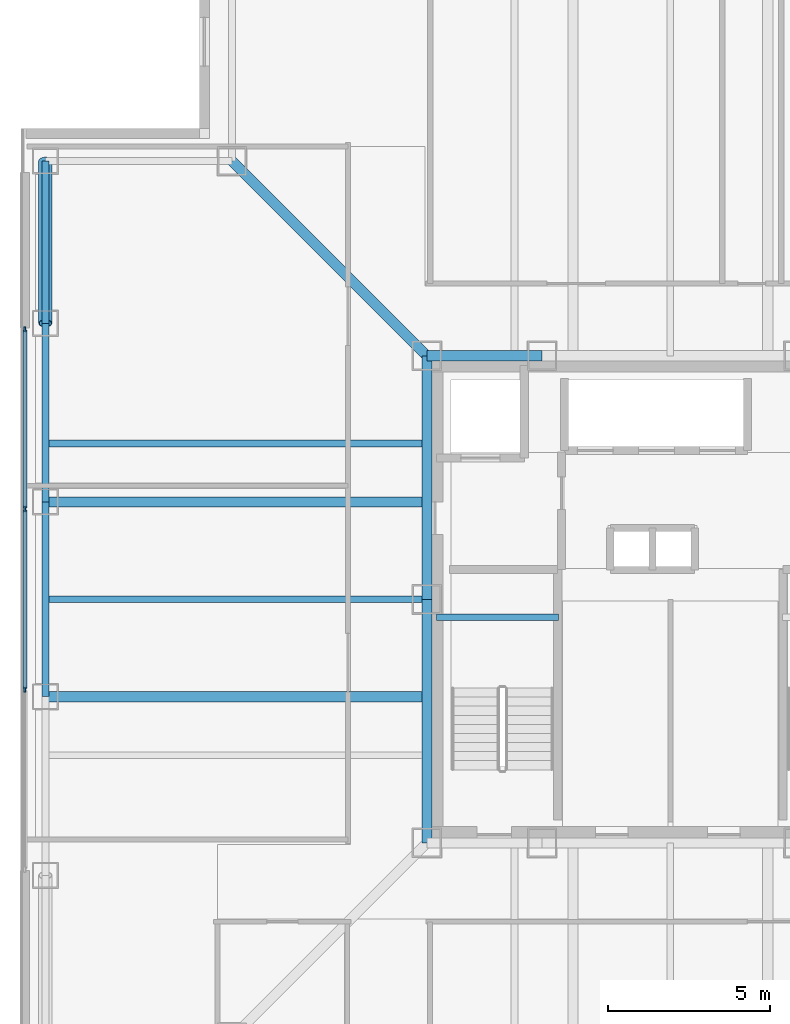
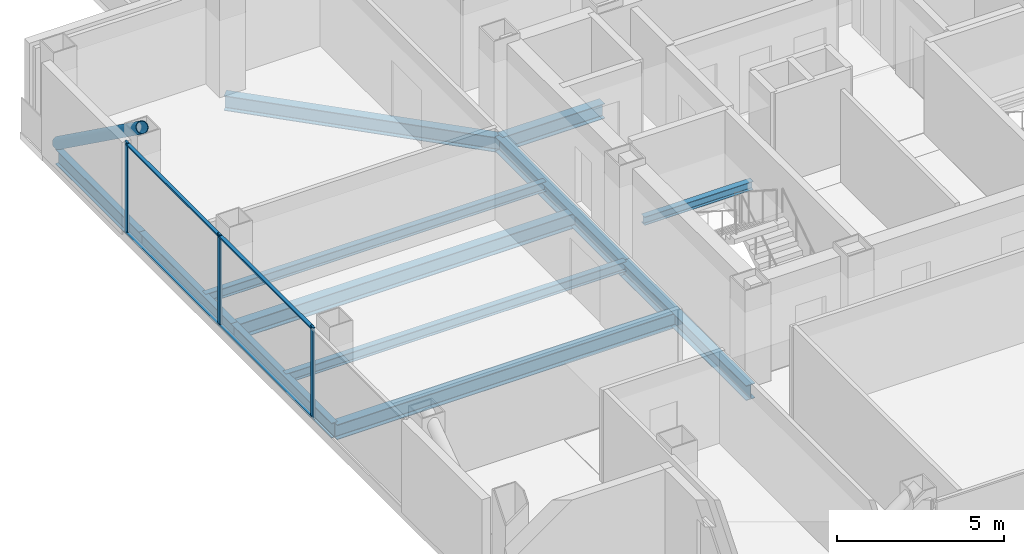
# One storey, part 4 of 16: 12 beams, 8 members, 1 element without a shape of its own.
"""IFC4 building model written with IfcOpenShell, lengths in metres."""

from ifc_helpers import new_model, si_unit, direction, frame, origin, origin_2d, place, context, subcontext, project, spatial, rectangle, hollow_circle, i_section, extrude, material, layer, layer_set, material_profile, profile_set, type_object, element, aggregate, save


model = new_model("IFC4")

# Units and contexts
model_context = context("Model", 3, precision=1e-05, world=origin(), true_north=direction((0.0, 1.0)))
body_context = subcontext(model_context, "Body", "Model", "MODEL_VIEW")
ifc_project = project(units=[si_unit("LENGTHUNIT", "METRE"), si_unit("AREAUNIT", "SQUARE_METRE"), si_unit("VOLUMEUNIT", "CUBIC_METRE"), si_unit("PLANEANGLEUNIT", "RADIAN"), si_unit("MASSUNIT", "GRAM", prefix="KILO")], contexts=[model_context])

# Site, building, storey
site_placement = place(None, origin())
site = spatial("IfcSite", under=ifc_project, at=site_placement, CompositionType="ELEMENT")
building_placement = place(site_placement, origin())
building = spatial("IfcBuilding", under=site, at=building_placement, Name="Trevonay Congress Spire", CompositionType="ELEMENT")
storey_placement = place(building_placement, frame((0.0, 0.0, 180.60009765625)))
storey = spatial("IfcBuildingStorey", under=building, at=storey_placement, Name="L46", CompositionType="ELEMENT", Elevation=180.60009765625)

# Beams
ifc_material_1 = material(Name="Steel ASTM A572 Grade 50", Category="steel")
ifc_material_profile_1 = material_profile(ifc_material_1, i_section(OverallWidth=0.31201171875, OverallDepth=0.54296875, WebThickness=0.0126953125, FlangeThickness=0.020263671875, FilletRadius=0.014892578125, at=origin_2d()), Name="W530x150")
ifc_profile_set_1 = profile_set([ifc_material_profile_1], Name="Steel ASTM A572 Grade 50")
beam_type_1 = type_object("IfcBeamType", Name="BM-GIRD-W530X150", PredefinedType="BEAM", material=ifc_profile_set_1)
beam_1_placement = place(storey_placement, frame((-7.5, 7.5, -0.51171875), z_axis=(1.0, 0.0, 0.0), x_axis=(0.0, 1.0, 0.0)))
element("IfcBeam", 1, at=beam_1_placement, inside=storey, type_object=beam_type_1, Name="L46 structural beam BM-L46-CR-N1", PredefinedType="BEAM", context=body_context, shape_type="SweptSolid", body=[
    extrude(i_section(OverallWidth=0.31201171875, OverallDepth=0.54296875, WebThickness=0.0126953125, FlangeThickness=0.020263671875, FilletRadius=0.014892578125, at=origin_2d()), origin(), (0.0, 0.0, 1.0), 3.550048828125),
])
for number, where, z_axis, x_axis, name in (
    (2, (-7.5, -7.5, -0.51171875), (0.0, 1.0, 0.0), (-1.0, 0.0, 0.0), "L46 structural beam BM-L46-CR-W1"),
    (3, (-7.5, 0.0, -0.51171875), (0.0, 1.0, 0.0), (-1.0, 0.0, 0.0), "L46 structural beam BM-L46-CR-W2"),
):
    element("IfcBeam", number, at=place(storey_placement, frame(where, z_axis=z_axis, x_axis=x_axis)), inside=storey, type_object=beam_type_1, Name=name, PredefinedType="BEAM", context=body_context, shape_type="SweptSolid", body=[
        extrude(i_section(OverallWidth=0.31201171875, OverallDepth=0.54296875, WebThickness=0.0126953125, FlangeThickness=0.020263671875, FilletRadius=0.014892578125, at=origin_2d()), origin(), (0.0, 0.0, 1.0), 7.5),
    ])
beam_2_placement = place(storey_placement, frame((-7.5, 7.5, -0.51171875), z_axis=(-0.707106781187, 0.707106781187, 0.0), x_axis=(-0.707106781187, -0.707106781187, 0.0)))
element("IfcBeam", 4, at=beam_2_placement, inside=storey, type_object=beam_type_1, Name="L46 structural beam BM-L46-CDNW", PredefinedType="BEAM", context=body_context, shape_type="SweptSolid", body=[
    extrude(i_section(OverallWidth=0.31201171875, OverallDepth=0.54296875, WebThickness=0.0126953125, FlangeThickness=0.020263671875, FilletRadius=0.014892578125, at=origin_2d()), origin(), (0.0, 0.0, 1.0), 8.4853515625),
])
for number, where, z_axis, x_axis, name in (
    (5, (-7.5, -3.0, -0.51171875), (-1.0, 0.0, 0.0), (0.0, -1.0, 0.0), "L46 structural beam BM-L46-GW-M"),
    (6, (-7.5, 3.0, -0.51171875), (-1.0, 0.0, 0.0), (0.0, -1.0, 0.0), "L46 structural beam BM-L46-GW-P"),
):
    element("IfcBeam", number, at=place(storey_placement, frame(where, z_axis=z_axis, x_axis=x_axis)), inside=storey, type_object=beam_type_1, Name=name, PredefinedType="BEAM", context=body_context, shape_type="SweptSolid", body=[
        extrude(i_section(OverallWidth=0.31201171875, OverallDepth=0.54296875, WebThickness=0.0126953125, FlangeThickness=0.020263671875, FilletRadius=0.014892578125, at=origin_2d()), origin(), (0.0, 0.0, 1.0), 11.75),
    ])
ifc_material_profile_2 = material_profile(ifc_material_1, i_section(OverallWidth=0.2119140625, OverallDepth=0.5439453125, WebThickness=0.01318359375, FlangeThickness=0.021240234375, FilletRadius=0.014892578125, at=origin_2d()), Name="W530x123")
ifc_profile_set_2 = profile_set([ifc_material_profile_2], Name="Steel ASTM A572 Grade 50")
beam_type_2 = type_object("IfcBeamType", Name="BM-RING-W530X123", PredefinedType="BEAM", material=ifc_profile_set_2)
beam_3_placement = place(storey_placement, frame((-19.25, -3.0, -0.51220703125), z_axis=(0.0, 1.0, 0.0), x_axis=(-1.0, 0.0, 0.0)))
element("IfcBeam", 7, at=beam_3_placement, inside=storey, type_object=beam_type_2, Name="L46 structural beam BM-L46-PW3", PredefinedType="BEAM", context=body_context, shape_type="SweptSolid", body=[
    extrude(i_section(OverallWidth=0.2119140625, OverallDepth=0.5439453125, WebThickness=0.01318359375, FlangeThickness=0.021240234375, FilletRadius=0.014892578125, at=origin_2d()), origin(), (0.0, 0.0, 1.0), 6.0),
])
beam_4_placement = place(storey_placement, frame((-19.25, 3.0, -0.51220703125), z_axis=(0.0, 1.0, 0.0), x_axis=(-1.0, 0.0, 0.0)))
element("IfcBeam", 8, at=beam_4_placement, inside=storey, type_object=beam_type_2, Name="L46 structural beam BM-L46-PW4", PredefinedType="BEAM", context=body_context, shape_type="SweptSolid", body=[
    extrude(i_section(OverallWidth=0.2119140625, OverallDepth=0.5439453125, WebThickness=0.01318359375, FlangeThickness=0.021240234375, FilletRadius=0.014892578125, at=origin_2d()), origin(), (0.0, 0.0, 1.0), 5.5),
])
beam_5_placement = place(storey_placement, frame((-19.25, 8.5, -0.51220703125), z_axis=(0.0, 1.0, 0.0), x_axis=(-1.0, 0.0, 0.0)))
element("IfcBeam", 9, at=beam_5_placement, inside=storey, type_object=beam_type_2, Name="L46 structural beam BM-L46-PW5", PredefinedType="BEAM", context=body_context, shape_type="SweptSolid", body=[
    extrude(i_section(OverallWidth=0.2119140625, OverallDepth=0.5439453125, WebThickness=0.01318359375, FlangeThickness=0.021240234375, FilletRadius=0.014892578125, at=origin_2d()), origin(), (0.0, 0.0, 1.0), 5.0),
])

# Curtain wall, members
ifc_material_2 = material(Name="Pale Anodised Aluminium EN AW-6063-T6", Category="aluminium")
ifc_layer = layer(ifc_material_2, 0.169921875, Name="Pale Anodised Aluminium EN AW-6063-T6")
ifc_layer_set = layer_set([ifc_layer], Name="Pale Anodised Aluminium EN AW-6063-T6")
curtain_wall_type = type_object("IfcCurtainWallType", Name="CW-SYS04-CORP-PALE-METAL", PredefinedType="NOTDEFINED", material=ifc_layer_set)
curtain_wall_placement = place(storey_placement, origin())
curtain_wall = element("IfcCurtainWall", 10, at=curtain_wall_placement, inside=storey, type_object=curtain_wall_type, Name="L46 W unitised curtain wall", PredefinedType="NOTDEFINED")
ifc_material_profile_3 = material_profile(ifc_material_2, rectangle(XDim=0.06005859375, YDim=0.159912109375, at=origin_2d()), Name="CW-MULLION-160-ALUMINIUM")
ifc_profile_set_3 = profile_set([ifc_material_profile_3], Name="Pale Anodised Aluminium EN AW-6063-T6")
member_type_1 = type_object("IfcMemberType", Name="CW-MULLION-160-ALUMINIUM", PredefinedType="MULLION", material=ifc_profile_set_3)
member_1_placement = place(storey_placement, frame((-19.8798828125, -2.783447265625, 0.0), z_axis=(0.0, 0.0, 1.0), x_axis=(-1.0, 0.0, 0.0)))
member_1 = element("IfcMember", 11, at=member_1_placement, type_object=member_type_1, Name="CW04 mullion 2", PredefinedType="MULLION", context=body_context, shape_type="SweptSolid", body=[
    extrude(rectangle(XDim=0.06005859375, YDim=0.159912109375, at=origin_2d()), origin(), (0.0, 0.0, 1.0), 3.35986328125),
])
member_2_placement = place(storey_placement, frame((-19.8798828125, 2.783447265625, 0.0), z_axis=(0.0, 0.0, 1.0), x_axis=(-1.0, 0.0, 0.0)))
member_2 = element("IfcMember", 12, at=member_2_placement, type_object=member_type_1, Name="CW04 mullion 3", PredefinedType="MULLION", context=body_context, shape_type="SweptSolid", body=[
    extrude(rectangle(XDim=0.06005859375, YDim=0.159912109375, at=origin_2d()), origin(), (0.0, 0.0, 1.0), 3.35986328125),
])
member_3_placement = place(storey_placement, frame((-19.8798828125, 8.320068359375, 0.0), z_axis=(0.0, 0.0, 1.0), x_axis=(-1.0, 0.0, 0.0)))
member_3 = element("IfcMember", 13, at=member_3_placement, type_object=member_type_1, Name="CW04 mullion 4", PredefinedType="MULLION", context=body_context, shape_type="SweptSolid", body=[
    extrude(rectangle(XDim=0.06005859375, YDim=0.159912109375, at=origin_2d()), origin(), (0.0, 0.0, 1.0), 3.35986328125),
])
ifc_material_profile_4 = material_profile(ifc_material_2, rectangle(XDim=0.1201171875, YDim=0.06005859375, at=origin_2d()), Name="CW-TRANSOM-120-ALUMINIUM")
ifc_profile_set_4 = profile_set([ifc_material_profile_4], Name="Pale Anodised Aluminium EN AW-6063-T6")
member_type_2 = type_object("IfcMemberType", Name="CW-TRANSOM-120-ALUMINIUM", PredefinedType="USERDEFINED", material=ifc_profile_set_4)
member_4_placement = place(storey_placement, frame((-19.8798828125, -2.75341796875, 0.059814453125), z_axis=(0.0, 1.0, 0.0), x_axis=(-1.0, 0.0, 0.0)))
member_4 = element("IfcMember", 14, at=member_4_placement, type_object=member_type_2, Name="CW04 transom 2.1", ObjectType="TRANSOM", PredefinedType="USERDEFINED", context=body_context, shape_type="SweptSolid", body=[
    extrude(rectangle(XDim=0.1201171875, YDim=0.06005859375, at=origin_2d()), origin(), (0.0, 0.0, 1.0), 5.5068359375),
])
member_5_placement = place(storey_placement, frame((-19.8798828125, -2.75341796875, 3.2998046875), z_axis=(0.0, 1.0, 0.0), x_axis=(-1.0, 0.0, 0.0)))
member_5 = element("IfcMember", 15, at=member_5_placement, type_object=member_type_2, Name="CW04 transom 2.2", ObjectType="TRANSOM", PredefinedType="USERDEFINED", context=body_context, shape_type="SweptSolid", body=[
    extrude(rectangle(XDim=0.1201171875, YDim=0.06005859375, at=origin_2d()), origin(), (0.0, 0.0, 1.0), 5.5068359375),
])
member_6_placement = place(storey_placement, frame((-19.8798828125, 2.813232421875, 0.059814453125), z_axis=(0.0, 1.0, 0.0), x_axis=(-1.0, 0.0, 0.0)))
member_6 = element("IfcMember", 16, at=member_6_placement, type_object=member_type_2, Name="CW04 transom 3.1", ObjectType="TRANSOM", PredefinedType="USERDEFINED", context=body_context, shape_type="SweptSolid", body=[
    extrude(rectangle(XDim=0.1201171875, YDim=0.06005859375, at=origin_2d()), origin(), (0.0, 0.0, 1.0), 5.476806640625),
])
member_7_placement = place(storey_placement, frame((-19.8798828125, 2.813232421875, 3.2998046875), z_axis=(0.0, 1.0, 0.0), x_axis=(-1.0, 0.0, 0.0)))
member_7 = element("IfcMember", 17, at=member_7_placement, type_object=member_type_2, Name="CW04 transom 3.2", ObjectType="TRANSOM", PredefinedType="USERDEFINED", context=body_context, shape_type="SweptSolid", body=[
    extrude(rectangle(XDim=0.1201171875, YDim=0.06005859375, at=origin_2d()), origin(), (0.0, 0.0, 1.0), 5.476806640625),
])
aggregate(curtain_wall, [member_1, member_2, member_3, member_4, member_5, member_6, member_7])

# Beams
ifc_material_profile_5 = material_profile(ifc_material_1, i_section(OverallWidth=0.205078125, OverallDepth=0.35400390625, WebThickness=0.009521484375, FlangeThickness=0.016845703125, FilletRadius=0.011962890625, at=origin_2d()), Name="W360x79")
ifc_profile_set_5 = profile_set([ifc_material_profile_5], Name="Steel ASTM A572 Grade 50")
beam_type_3 = type_object("IfcBeamType", Name="JS-COMP-W360X79", PredefinedType="JOIST", material=ifc_profile_set_5)
for number, where, z_axis, x_axis, name in (
    (18, (-19.25, 0.0, -0.4169921875), (1.0, 0.0, 0.0), (0.0, 1.0, 0.0), "L46 structural beam JS-L46-EW-W2"),
    (19, (-19.25, 4.800048828125, -0.4169921875), (1.0, 0.0, 0.0), (0.0, 1.0, 0.0), "L46 structural beam JS-L46-EW-W3"),
):
    element("IfcBeam", number, at=place(storey_placement, frame(where, z_axis=z_axis, x_axis=x_axis)), inside=storey, type_object=beam_type_3, Name=name, PredefinedType="JOIST", context=body_context, shape_type="SweptSolid", body=[
        extrude(i_section(OverallWidth=0.205078125, OverallDepth=0.35400390625, WebThickness=0.009521484375, FlangeThickness=0.016845703125, FilletRadius=0.011962890625, at=origin_2d()), origin(), (0.0, 0.0, 1.0), 11.75),
    ])
ifc_material_profile_6 = material_profile(ifc_material_1, i_section(OverallWidth=0.2041015625, OverallDepth=0.305908203125, WebThickness=0.008544921875, FlangeThickness=0.0146484375, FilletRadius=0.010986328125, at=origin_2d()), Name="W310x67")
ifc_profile_set_6 = profile_set([ifc_material_profile_6], Name="Steel ASTM A572 Grade 50")
beam_type_4 = type_object("IfcBeamType", Name="LN-CORE-W310X67", PredefinedType="LINTEL", material=ifc_profile_set_6)
beam_6_placement = place(storey_placement, frame((-7.199951171875, -0.550048828125, 1.447021484375), z_axis=(1.0, 0.0, 0.0), x_axis=(0.0, 1.0, 0.0)))
element("IfcBeam", 20, at=beam_6_placement, inside=storey, type_object=beam_type_4, Name="L46 structural beam BM-L46-HL-ST1", PredefinedType="LINTEL", context=body_context, shape_type="SweptSolid", body=[
    extrude(i_section(OverallWidth=0.2041015625, OverallDepth=0.305908203125, WebThickness=0.008544921875, FlangeThickness=0.0146484375, FilletRadius=0.010986328125, at=origin_2d()), origin(), (0.0, 0.0, 1.0), 3.75),
])

# Member
ifc_material_3 = material(Name="Steel ASTM A500 Grade C", Category="steel")
ifc_material_profile_7 = material_profile(ifc_material_3, hollow_circle(Radius=0.203125, WallThickness=0.02001953125, at=origin_2d()), Name="CHS 406.4x20")
ifc_profile_set_7 = profile_set([ifc_material_profile_7], Name="Steel ASTM A500 Grade C")
member_type_3 = type_object("IfcMemberType", Name="MBR-TUBE-CHS406", PredefinedType="BRACE", material=ifc_profile_set_7)
member_8_placement = place(storey_placement, frame((-19.25, 13.5, -0.050048828125), z_axis=(0.0, -0.811545615365, 0.584289067313), x_axis=(1.0, 0.0, 0.0)))
element("IfcMember", 21, at=member_8_placement, inside=storey, type_object=member_type_3, Name="L46 perimeter braced-tube diagonal W4", PredefinedType="BRACE", context=body_context, shape_type="SweptSolid", body=[
    extrude(hollow_circle(Radius=0.203125, WallThickness=0.02001953125, at=origin_2d()), origin(), (0.0, 0.0, 1.0), 6.1611328125),
])

save(model, "model.ifc")
